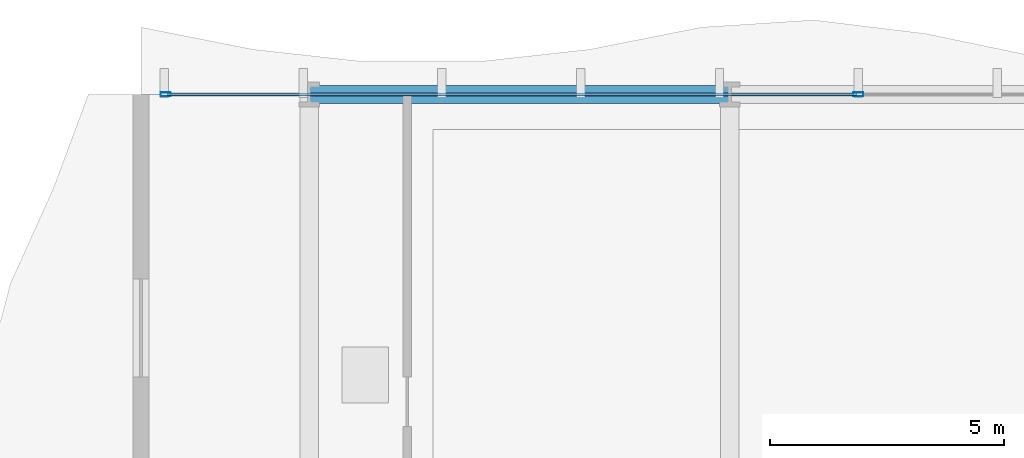
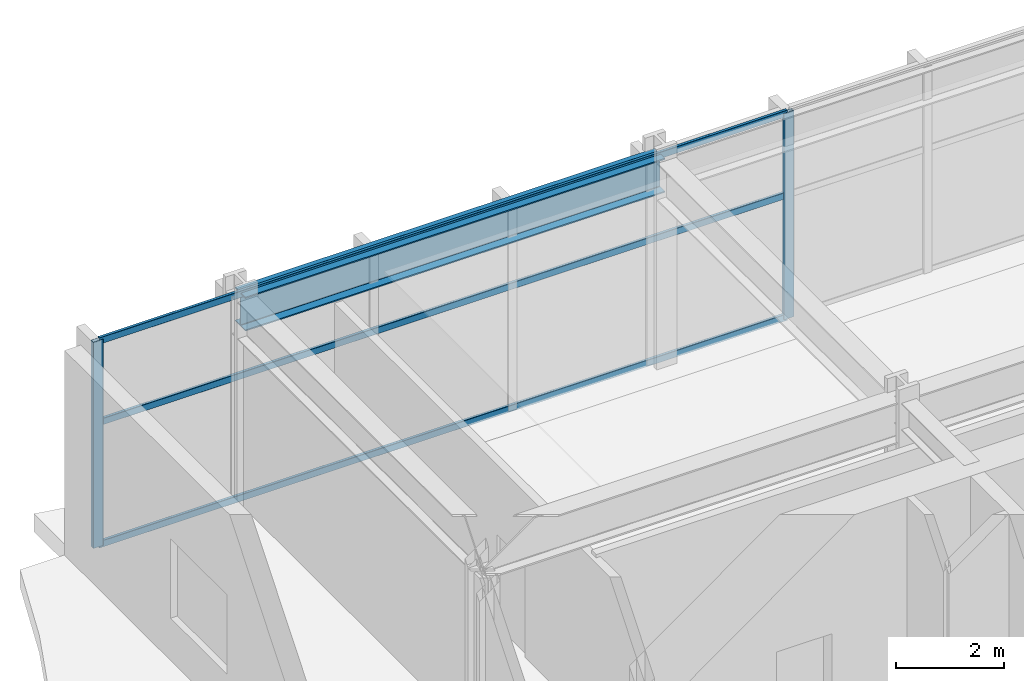
# One storey, part 13 of 28: 5 members, 1 beam, 1 element without a shape of its own.
"""IFC4 building model written with IfcOpenShell, lengths in metres."""

from ifc_helpers import new_model, si_unit, direction, frame, origin, origin_2d, place, context, subcontext, project, spatial, hollow_rectangle, i_section, extrude, material, layer, layer_set, material_profile, profile_set, type_object, element, aggregate, save


model = new_model("IFC4")

# Units and contexts
model_context = context("Model", 3, precision=1e-05, world=origin(), true_north=direction((0.0, 1.0)))
body_context = subcontext(model_context, "Body", "Model", "MODEL_VIEW")
ifc_project = project(units=[si_unit("LENGTHUNIT", "METRE"), si_unit("AREAUNIT", "SQUARE_METRE"), si_unit("VOLUMEUNIT", "CUBIC_METRE"), si_unit("PLANEANGLEUNIT", "RADIAN"), si_unit("MASSUNIT", "GRAM", prefix="KILO")], contexts=[model_context])

# Site, building, storey
site_placement = place(None, origin())
site = spatial("IfcSite", under=ifc_project, at=site_placement, CompositionType="ELEMENT")
building_placement = place(site_placement, origin())
building = spatial("IfcBuilding", under=site, at=building_placement, Name="Solvaryn Broadcast Tower", CompositionType="ELEMENT")
storey_placement = place(building_placement, frame((0.0, 0.0, 16.199951171875)))
storey = spatial("IfcBuildingStorey", under=building, at=storey_placement, Name="L03", CompositionType="ELEMENT", Elevation=16.199951171875)

# Beam
ifc_material_1 = material(Name="Steel ASTM A992 Grade 50", Category="steel")
ifc_material_profile_1 = material_profile(ifc_material_1, i_section(OverallWidth=0.381103515625, OverallDepth=0.77294921875, WebThickness=0.0166015625, FlangeThickness=0.027099609375, FilletRadius=0.01806640625, at=origin_2d()))
ifc_profile_set_1 = profile_set([ifc_material_profile_1], Name="Steel ASTM A992 Grade 50")
beam_type = type_object("IfcBeamType", Name="BM-SP1-W30X173", PredefinedType="USERDEFINED", material=ifc_profile_set_1)
beam_placement = place(storey_placement, frame((9.0, 54.0, 4.29345703125), z_axis=(1.0, 0.0, 0.0), x_axis=(0.0, 1.0, 0.0)))
element("IfcBeam", 1, at=beam_placement, inside=storey, type_object=beam_type, Name="L03 Spandrel Beam X (9-18 @ Y=54)", ObjectType="SPANDREL", PredefinedType="USERDEFINED", context=body_context, shape_type="SweptSolid", body=[
    extrude(i_section(OverallWidth=0.381103515625, OverallDepth=0.77294921875, WebThickness=0.0166015625, FlangeThickness=0.027099609375, FilletRadius=0.01806640625, at=origin_2d()), origin(), (0.0, 0.0, 1.0), 9.0),
])

# Curtain wall, members
ifc_material_2 = material(Name="Aluminium and Terracotta Unitised Curtain Wall", Category="masonry")
ifc_layer = layer(ifc_material_2, 0.219970703125)
ifc_layer_set = layer_set([ifc_layer], Name="CW-SYS1-PODIUM")
curtain_wall_type = type_object("IfcCurtainWallType", Name="CW-SYS1-PODIUM", PredefinedType="NOTDEFINED", material=ifc_layer_set)
curtain_wall_placement = place(storey_placement, origin())
curtain_wall = element("IfcCurtainWall", 2, at=curtain_wall_placement, inside=storey, type_object=curtain_wall_type, Name="L03 Podium Curtain Wall N1", PredefinedType="NOTDEFINED")
ifc_material_3 = material(Name="Anodised Aluminium 6063-T6", Category="aluminium")
ifc_material_profile_2 = material_profile(ifc_material_3, hollow_rectangle(XDim=0.0849609375, YDim=0.219970703125, WallThickness=0.0048828125, InnerFilletRadius=0.0048828125, OuterFilletRadius=0.010009765625, at=origin_2d()))
ifc_profile_set_2 = profile_set([ifc_material_profile_2], Name="Anodised Aluminium 6063-T6")
member_type_1 = type_object("IfcMemberType", Name="CW-MUL-220", PredefinedType="MULLION", material=ifc_profile_set_2)
member_1_placement = place(storey_placement, frame((5.929931640625, 54.0, 0.0), z_axis=(0.0, 0.0, 1.0), x_axis=(0.0, 1.0, 0.0)))
member_1 = element("IfcMember", 3, at=member_1_placement, type_object=member_type_1, Name="CWS1 mullion 1", PredefinedType="MULLION", context=body_context, shape_type="SweptSolid", body=[
    extrude(hollow_rectangle(XDim=0.0849609375, YDim=0.219970703125, WallThickness=0.0048828125, InnerFilletRadius=0.0048828125, OuterFilletRadius=0.010009765625, at=origin_2d()), origin(), (0.0, 0.0, 1.0), 4.679931640625),
])
member_2_placement = place(storey_placement, frame((20.75, 54.0, 0.0), z_axis=(0.0, 0.0, 1.0), x_axis=(0.0, 1.0, 0.0)))
member_2 = element("IfcMember", 4, at=member_2_placement, type_object=member_type_1, Name="CWS1 mullion 2", PredefinedType="MULLION", context=body_context, shape_type="SweptSolid", body=[
    extrude(hollow_rectangle(XDim=0.0849609375, YDim=0.219970703125, WallThickness=0.0048828125, InnerFilletRadius=0.0048828125, OuterFilletRadius=0.010009765625, at=origin_2d()), origin(), (0.0, 0.0, 1.0), 4.679931640625),
])
ifc_material_4 = material(Name="Anodised Aluminium 6063-T6", Category="aluminium")
ifc_material_profile_3 = material_profile(ifc_material_4, hollow_rectangle(XDim=0.06494140625, YDim=0.14990234375, WallThickness=0.00390625, InnerFilletRadius=0.00390625, OuterFilletRadius=0.008056640625, at=origin_2d()))
ifc_profile_set_3 = profile_set([ifc_material_profile_3], Name="Anodised Aluminium 6063-T6")
member_type_2 = type_object("IfcMemberType", Name="CW-TRN-150", PredefinedType="USERDEFINED", material=ifc_profile_set_3)
member_3_placement = place(storey_placement, frame((5.9599609375, 54.0, 0.030029296875), z_axis=(1.0, 0.0, 0.0), x_axis=(0.0, 1.0, 0.0)))
member_3 = element("IfcMember", 5, at=member_3_placement, type_object=member_type_2, Name="CWS1 transom 1.1", ObjectType="TRANSOM", PredefinedType="USERDEFINED", context=body_context, shape_type="SweptSolid", body=[
    extrude(hollow_rectangle(XDim=0.06494140625, YDim=0.14990234375, WallThickness=0.00390625, InnerFilletRadius=0.00390625, OuterFilletRadius=0.008056640625, at=origin_2d()), origin(), (0.0, 0.0, 1.0), 14.760009765625),
])
member_4_placement = place(storey_placement, frame((5.9599609375, 54.0, 2.800048828125), z_axis=(1.0, 0.0, 0.0), x_axis=(0.0, 1.0, 0.0)))
member_4 = element("IfcMember", 6, at=member_4_placement, type_object=member_type_2, Name="CWS1 transom 1.2", ObjectType="TRANSOM", PredefinedType="USERDEFINED", context=body_context, shape_type="SweptSolid", body=[
    extrude(hollow_rectangle(XDim=0.06494140625, YDim=0.14990234375, WallThickness=0.00390625, InnerFilletRadius=0.00390625, OuterFilletRadius=0.008056640625, at=origin_2d()), origin(), (0.0, 0.0, 1.0), 14.760009765625),
])
member_5_placement = place(storey_placement, frame((5.9599609375, 54.0, 4.650146484375), z_axis=(1.0, 0.0, 0.0), x_axis=(0.0, 1.0, 0.0)))
member_5 = element("IfcMember", 7, at=member_5_placement, type_object=member_type_2, Name="CWS1 transom 1.3", ObjectType="TRANSOM", PredefinedType="USERDEFINED", context=body_context, shape_type="SweptSolid", body=[
    extrude(hollow_rectangle(XDim=0.06494140625, YDim=0.14990234375, WallThickness=0.00390625, InnerFilletRadius=0.00390625, OuterFilletRadius=0.008056640625, at=origin_2d()), origin(), (0.0, 0.0, 1.0), 14.760009765625),
])
aggregate(curtain_wall, [member_1, member_2, member_3, member_4, member_5])

save(model, "model.ifc")
